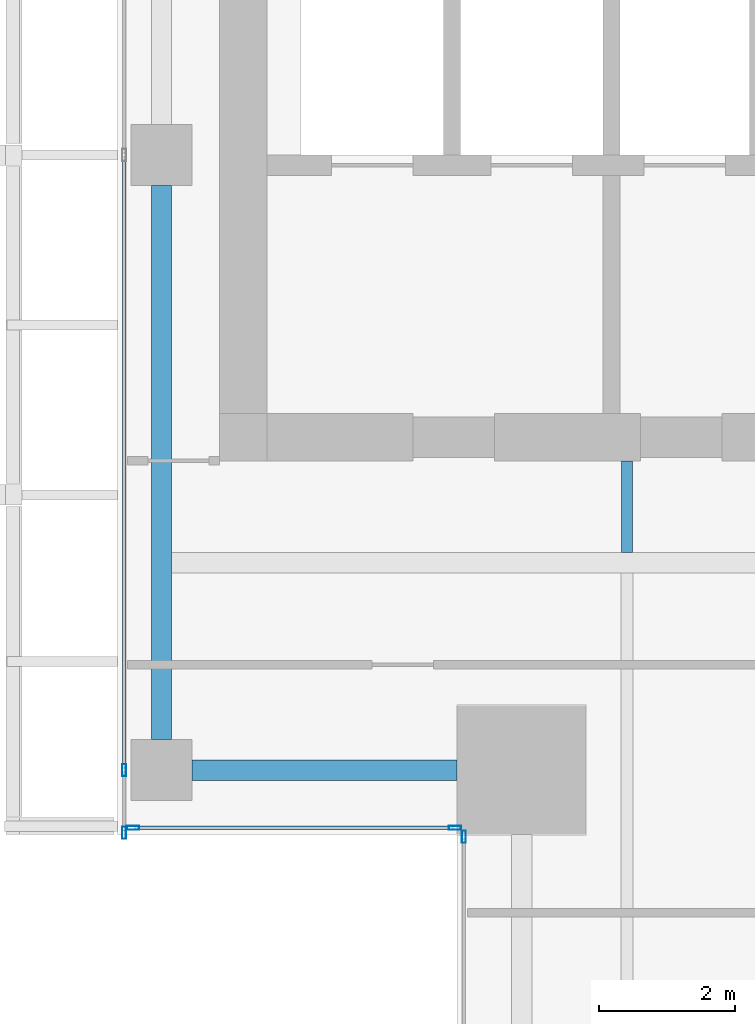
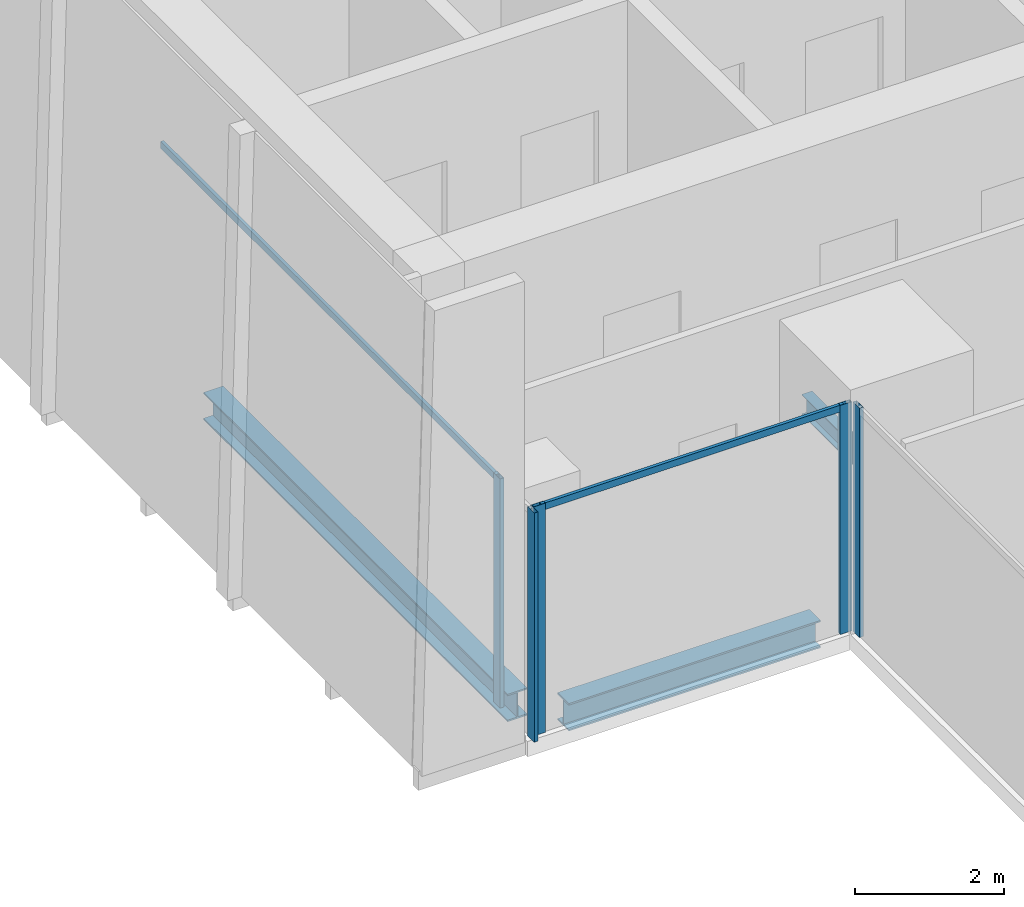
# One storey, part 3 of 35: 7 members, 3 beams, 3 elements without a shape of their own.
"""IFC4 building model written with IfcOpenShell, lengths in metres."""

from ifc_helpers import new_model, si_unit, direction, frame, origin, origin_2d, place, context, subcontext, project, spatial, hollow_rectangle, i_section, extrude, source, transform, mapped, material, material_profile, profile_set, type_object, element, aggregate, save


model = new_model("IFC4")

# Units and contexts
model_context = context("Model", 3, precision=1e-05, world=origin(), true_north=direction((0.0, 1.0)))
body_context = subcontext(model_context, "Body", "Model", "MODEL_VIEW")
ifc_project = project(units=[si_unit("LENGTHUNIT", "METRE"), si_unit("AREAUNIT", "SQUARE_METRE"), si_unit("VOLUMEUNIT", "CUBIC_METRE"), si_unit("PLANEANGLEUNIT", "RADIAN"), si_unit("MASSUNIT", "GRAM", prefix="KILO")], contexts=[model_context])

# Site, building, storey
site_placement = place(None, origin())
site = spatial("IfcSite", under=ifc_project, at=site_placement, CompositionType="ELEMENT")
building_placement = place(site_placement, origin())
building = spatial("IfcBuilding", under=site, at=building_placement, Name="Khomas Fold Tower", CompositionType="ELEMENT")
storey_placement = place(building_placement, frame((0.0, 0.0, 258.199951171875)))
storey = spatial("IfcBuildingStorey", under=building, at=storey_placement, Name="L58", CompositionType="ELEMENT", Elevation=258.199951171875)

# Beams
ifc_material_1 = material(Name="Steel S355", Category="steel")
ifc_material_profile_1 = material_profile(ifc_material_1, i_section(OverallWidth=0.159912109375, OverallDepth=0.330078125, WebThickness=0.007568359375, FlangeThickness=0.011474609375, at=origin_2d()), Name="IPE 330")
ifc_profile_set_1 = profile_set([ifc_material_profile_1], Name="Steel S355")
beam_type_1 = type_object("IfcBeamType", Name="IPE 330 beam JB1", PredefinedType="BEAM", material=ifc_profile_set_1)
shared_shape_1 = source(origin(), body_context, "Body", "SweptSolid", [
    extrude(i_section(OverallWidth=0.159912109375, OverallDepth=0.330078125, WebThickness=0.007568359375, FlangeThickness=0.011474609375, at=origin_2d()), origin(), (0.0, 0.0, 1.0), 1.35009765625),
])
beam_1_placement = place(storey_placement, frame((12.0, 13.64990234375, -0.4150390625), z_axis=(0.0, 1.0, 0.0), x_axis=(-1.0, 0.0, 0.0)))
element("IfcBeam", 1, at=beam_1_placement, inside=storey, type_object=beam_type_1, Name="JB1", PredefinedType="BEAM", context=body_context, shape_type="MappedRepresentation", body=[
    mapped(shared_shape_1, transform((0.0, 0.0, 0.0))),
])
ifc_material_2 = material(Name="Steel S355", Category="steel")
ifc_material_profile_2 = material_profile(ifc_material_2, i_section(OverallWidth=0.300048828125, OverallDepth=0.449951171875, WebThickness=0.013916015625, FlangeThickness=0.02587890625, at=origin_2d()), Name="HE 450 B")
ifc_profile_set_2 = profile_set([ifc_material_profile_2], Name="Steel S355")
beam_type_2 = type_object("IfcBeamType", Name="HE 450 B spandrel SB4", PredefinedType="SPANDREL", material=ifc_profile_set_2)
shared_shape_2 = source(origin(), body_context, "Body", "SweptSolid", [
    extrude(i_section(OverallWidth=0.300048828125, OverallDepth=0.449951171875, WebThickness=0.013916015625, FlangeThickness=0.02587890625, at=origin_2d()), origin(), (0.0, 0.0, 1.0), 8.150146484375),
])
beam_2_placement = place(storey_placement, frame((5.14990234375, 10.89990234375, -0.474853515625), z_axis=(0.0, 1.0, 0.0), x_axis=(-1.0, 0.0, 0.0)))
element("IfcBeam", 2, at=beam_2_placement, inside=storey, type_object=beam_type_2, Name="SB4", PredefinedType="SPANDREL", context=body_context, shape_type="MappedRepresentation", body=[
    mapped(shared_shape_2, transform((0.0, 0.0, 0.0))),
])
shared_shape_3 = source(origin(), body_context, "Body", "SweptSolid", [
    extrude(i_section(OverallWidth=0.300048828125, OverallDepth=0.449951171875, WebThickness=0.013916015625, FlangeThickness=0.02587890625, at=origin_2d()), origin(), (0.0, 0.0, 1.0), 3.89990234375),
])
beam_3_placement = place(storey_placement, frame((5.60009765625, 10.449951171875, -0.474853515625), z_axis=(1.0, 0.0, 0.0), x_axis=(0.0, 1.0, 0.0)))
element("IfcBeam", 3, at=beam_3_placement, inside=storey, type_object=beam_type_2, Name="SB4", PredefinedType="SPANDREL", context=body_context, shape_type="MappedRepresentation", body=[
    mapped(shared_shape_3, transform((0.0, 0.0, 0.0))),
])

# Curtain wall, members
ifc_material_3 = material(Name="Aluminium framed double glazing", Category="aluminium")
curtain_wall_type = type_object("IfcCurtainWallType", Name="SK-Unitised clear-glass wall, office floors CW2", PredefinedType="NOTDEFINED", material=ifc_material_3)
curtain_wall_1_placement = place(storey_placement, origin())
curtain_wall_1 = element("IfcCurtainWall", 4, at=curtain_wall_1_placement, inside=storey, type_object=curtain_wall_type, Name="CW2 run L58 09-0", PredefinedType="NOTDEFINED")
ifc_material_4 = material(Name="Aluminium", Category="aluminium")
ifc_material_profile_3 = material_profile(ifc_material_4, hollow_rectangle(XDim=0.06005859375, YDim=0.179931640625, WallThickness=0.00390625, at=origin_2d()), Name="SK-Unitised clear-glass wall, office floors mullion CW2-M")
ifc_profile_set_3 = profile_set([ifc_material_profile_3], Name="Aluminium")
member_type_1 = type_object("IfcMemberType", Name="SK-Unitised clear-glass wall, office floors mullion CW2-M", PredefinedType="MULLION", material=ifc_profile_set_3)
shared_shape_4 = source(origin(), body_context, "Body", "SweptSolid", [
    extrude(hollow_rectangle(XDim=0.06005859375, YDim=0.179931640625, WallThickness=0.00390625, at=origin_2d()), origin(), (0.0, 0.0, 1.0), 3.75),
])
member_1_placement = place(storey_placement, frame((4.60009765625, 10.449951171875, 0.0), z_axis=(0.0, 0.0, 1.0), x_axis=(1.0, 0.0, 0.0)))
member_1 = element("IfcMember", 5, at=member_1_placement, type_object=member_type_1, Name="CW2 mullion 6", PredefinedType="MULLION", context=body_context, shape_type="MappedRepresentation", body=[
    mapped(shared_shape_4, transform((0.0, 0.0, 0.0))),
])
member_2_placement = place(storey_placement, frame((4.60009765625, 9.530029296875, 0.0), z_axis=(0.0, 0.0, 1.0), x_axis=(1.0, 0.0, 0.0)))
member_2 = element("IfcMember", 6, at=member_2_placement, type_object=member_type_1, Name="CW2 mullion 7", PredefinedType="MULLION", context=body_context, shape_type="MappedRepresentation", body=[
    mapped(shared_shape_4, transform((0.0, 0.0, 0.0))),
])

curtain_wall_2_placement = place(storey_placement, origin())
curtain_wall_2 = element("IfcCurtainWall", 7, at=curtain_wall_2_placement, inside=storey, type_object=curtain_wall_type, Name="CW2 corner return L58 10", PredefinedType="NOTDEFINED")
member_3_placement = place(storey_placement, frame((4.72998046875, 9.60009765625, 0.0), z_axis=(0.0, 0.0, 1.0), x_axis=(0.0, 1.0, 0.0)))
member_3 = element("IfcMember", 8, at=member_3_placement, type_object=member_type_1, Name="CW2 mullion 1", PredefinedType="MULLION", context=body_context, shape_type="MappedRepresentation", body=[
    mapped(shared_shape_4, transform((0.0, 0.0, 0.0))),
])
member_4_placement = place(storey_placement, frame((9.469970703125, 9.60009765625, 0.0), z_axis=(0.0, 0.0, 1.0), x_axis=(0.0, 1.0, 0.0)))
member_4 = element("IfcMember", 9, at=member_4_placement, type_object=member_type_1, Name="CW2 mullion 2", PredefinedType="MULLION", context=body_context, shape_type="MappedRepresentation", body=[
    mapped(shared_shape_4, transform((0.0, 0.0, 0.0))),
])

# Curtain wall, member
curtain_wall_3_placement = place(storey_placement, origin())
curtain_wall_3 = element("IfcCurtainWall", 10, at=curtain_wall_3_placement, inside=storey, type_object=curtain_wall_type, Name="CW2 corner return L58 11", PredefinedType="NOTDEFINED")
member_5_placement = place(storey_placement, frame((9.60009765625, 9.469970703125, 0.0), z_axis=(0.0, 0.0, 1.0), x_axis=(1.0, 0.0, 0.0)))
member_5 = element("IfcMember", 11, at=member_5_placement, type_object=member_type_1, Name="CW2 mullion 1", PredefinedType="MULLION", context=body_context, shape_type="MappedRepresentation", body=[
    mapped(shared_shape_4, transform((0.0, 0.0, 0.0))),
])
aggregate(curtain_wall_3, [member_5])

# Member
ifc_material_5 = material(Name="Aluminium", Category="aluminium")
ifc_material_profile_4 = material_profile(ifc_material_5, hollow_rectangle(XDim=0.050048828125, YDim=0.110107421875, WallThickness=0.00390625, at=origin_2d()), Name="SK-Unitised clear-glass wall, office floors transom CW2-T")
ifc_profile_set_4 = profile_set([ifc_material_profile_4], Name="Aluminium")
member_type_2 = type_object("IfcMemberType", Name="SK-Unitised clear-glass wall, office floors transom CW2-T", PredefinedType="USERDEFINED", material=ifc_profile_set_4)
shared_shape_5 = source(origin(), body_context, "Body", "SweptSolid", [
    extrude(hollow_rectangle(XDim=0.050048828125, YDim=0.110107421875, WallThickness=0.00390625, at=origin_2d()), origin(), (0.0, 0.0, 1.0), 8.989990234375),
])
member_6_placement = place(storey_placement, frame((4.60009765625, 19.469970703125, 3.695068359375), z_axis=(0.0, -1.0, 0.0), x_axis=(1.0, 0.0, 0.0)))
member_6 = element("IfcMember", 12, at=member_6_placement, type_object=member_type_2, Name="CW2 transom 5", ObjectType="TRANSOM", PredefinedType="USERDEFINED", context=body_context, shape_type="MappedRepresentation", body=[
    mapped(shared_shape_5, transform((0.0, 0.0, 0.0))),
])

aggregate(curtain_wall_1, [member_1, member_2, member_6])

shared_shape_6 = source(origin(), body_context, "Body", "SweptSolid", [
    extrude(hollow_rectangle(XDim=0.050048828125, YDim=0.110107421875, WallThickness=0.00390625, at=origin_2d()), origin(), (0.0, 0.0, 1.0), 4.679931640625),
])
member_7_placement = place(storey_placement, frame((4.760009765625, 9.60009765625, 3.695068359375), z_axis=(1.0, 0.0, 0.0), x_axis=(0.0, 1.0, 0.0)))
member_7 = element("IfcMember", 13, at=member_7_placement, type_object=member_type_2, Name="CW2 transom 1", ObjectType="TRANSOM", PredefinedType="USERDEFINED", context=body_context, shape_type="MappedRepresentation", body=[
    mapped(shared_shape_6, transform((0.0, 0.0, 0.0))),
])

aggregate(curtain_wall_2, [member_3, member_4, member_7])

save(model, "model.ifc")
